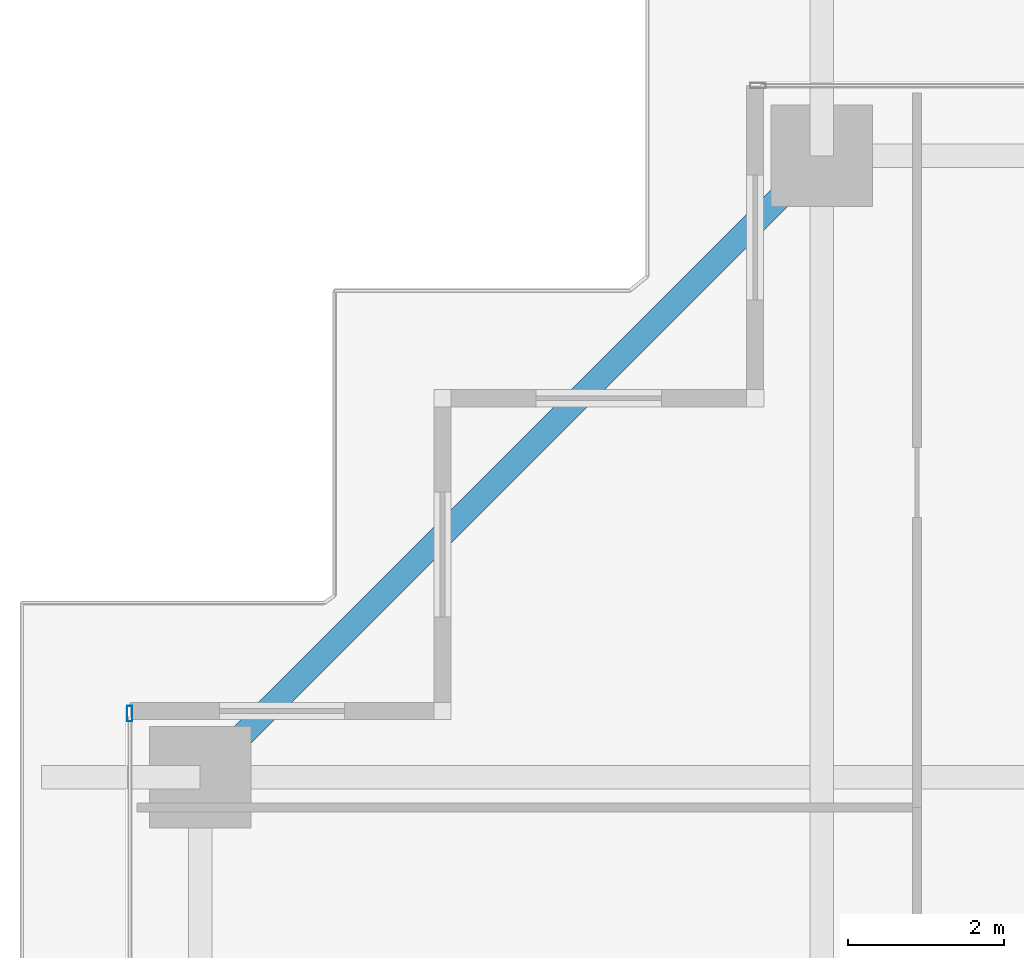
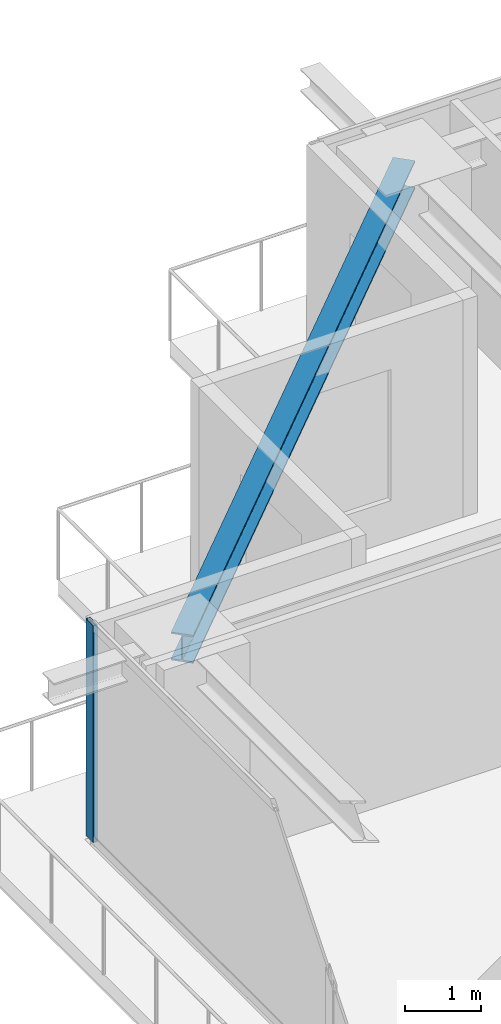
# One storey, part 19 of 37: 1 beam, 1 member, 1 element without a shape of its own.
"""IFC4 building model written with IfcOpenShell, lengths in metres."""

from ifc_helpers import new_model, si_unit, direction, frame, origin, origin_2d, place, context, subcontext, project, spatial, hollow_rectangle, i_section, extrude, source, transform, mapped, material, layer, layer_set, material_profile, profile_set, type_object, element, aggregate, save


model = new_model("IFC4")

# Units and contexts
model_context = context("Model", 3, precision=1e-05, world=origin(), true_north=direction((0.0, 1.0)))
body_context = subcontext(model_context, "Body", "Model", "MODEL_VIEW")
ifc_project = project(units=[si_unit("LENGTHUNIT", "METRE"), si_unit("AREAUNIT", "SQUARE_METRE"), si_unit("VOLUMEUNIT", "CUBIC_METRE"), si_unit("PLANEANGLEUNIT", "RADIAN"), si_unit("MASSUNIT", "GRAM", prefix="KILO")], contexts=[model_context])

# Site, building, storey
site_placement = place(None, origin())
site = spatial("IfcSite", under=ifc_project, at=site_placement, CompositionType="ELEMENT")
building_placement = place(site_placement, origin())
building = spatial("IfcBuilding", under=site, at=building_placement, Name="Serunith Strait Residences", CompositionType="ELEMENT")
storey_placement = place(building_placement, frame((0.0, 0.0, 161.39990234375)))
storey = spatial("IfcBuildingStorey", under=building, at=storey_placement, Name="L40", CompositionType="ELEMENT", Elevation=161.39990234375)

# Beam
ifc_material_1 = material(Name="Steel S355J2", Category="steel")
ifc_material_profile_1 = material_profile(ifc_material_1, i_section(OverallWidth=0.300048828125, OverallDepth=0.449951171875, WebThickness=0.013916015625, FlangeThickness=0.02587890625, FilletRadius=0.027099609375, at=origin_2d()), Name="HEB 450")
ifc_profile_set_1 = profile_set([ifc_material_profile_1], Name="Steel S355J2")
beam_type = type_object("IfcBeamType", Name="BM-HEB450", PredefinedType="BEAM", material=ifc_profile_set_1)
shared_shape_1 = source(origin(), body_context, "Body", "SweptSolid", [
    extrude(i_section(OverallWidth=0.300048828125, OverallDepth=0.449951171875, WebThickness=0.013916015625, FlangeThickness=0.02587890625, FilletRadius=0.027099609375, at=origin_2d()), origin(), (0.0, 0.0, 1.0), 11.2431640625),
])
beam_placement = place(storey_placement, frame((16.64990234375, 48.10009765625, 3.232177734375), z_axis=(-0.707095923751, -0.707117638455, 0.0), x_axis=(0.707117638455, -0.707095923751, 0.0)))
element("IfcBeam", 1, at=beam_placement, inside=storey, type_object=beam_type, Name="L40 Perimeter Ring Beam 12", PredefinedType="BEAM", context=body_context, shape_type="MappedRepresentation", body=[
    mapped(shared_shape_1, transform((0.0, 0.0, 0.0), scale=1.0)),
])

# Curtain wall, member
ifc_material_2 = material(Name="Pale-Champagne Anodised Aluminium", Category="aluminium")
ifc_layer = layer(ifc_material_2, 0.199951171875, Name="Pale-Champagne Anodised Aluminium")
ifc_layer_set = layer_set([ifc_layer], Name="Pale-Champagne Anodised Aluminium")
curtain_wall_type = type_object("IfcCurtainWallType", Name="CW-SYS2", PredefinedType="NOTDEFINED", material=ifc_layer_set)
curtain_wall_placement = place(storey_placement, origin())
curtain_wall = element("IfcCurtainWall", 2, at=curtain_wall_placement, inside=storey, type_object=curtain_wall_type, Name="L40 W Unitised Fritted Curtain Wall", PredefinedType="NOTDEFINED")
ifc_material_profile_2 = material_profile(ifc_material_2, hollow_rectangle(XDim=0.070068359375, YDim=0.199951171875, WallThickness=0.00390625, InnerFilletRadius=0.006103515625, OuterFilletRadius=0.010009765625, at=origin_2d()), Name="ALU 200x70x4")
ifc_profile_set_2 = profile_set([ifc_material_profile_2], Name="Pale-Champagne Anodised Aluminium")
member_type = type_object("IfcMemberType", Name="CW-SYS2-MULL", PredefinedType="MULLION", material=ifc_profile_set_2)
shared_shape_2 = source(origin(), body_context, "Body", "SweptSolid", [
    extrude(hollow_rectangle(XDim=0.070068359375, YDim=0.199951171875, WallThickness=0.00390625, InnerFilletRadius=0.006103515625, OuterFilletRadius=0.010009765625, at=origin_2d()), origin(), (0.0, 0.0, 1.0), 3.47509765625),
])
member_placement = place(storey_placement, frame((7.800048828125, 40.965087890625, 0.0), z_axis=(0.0, 0.0, 1.0), x_axis=(1.0, 0.0, 0.0)))
member = element("IfcMember", 3, at=member_placement, type_object=member_type, Name="CW-2 mullion 1", PredefinedType="MULLION", context=body_context, shape_type="MappedRepresentation", body=[
    mapped(shared_shape_2, transform((0.0, 0.0, 0.0), scale=1.0)),
])
aggregate(curtain_wall, [member])

save(model, "model.ifc")
